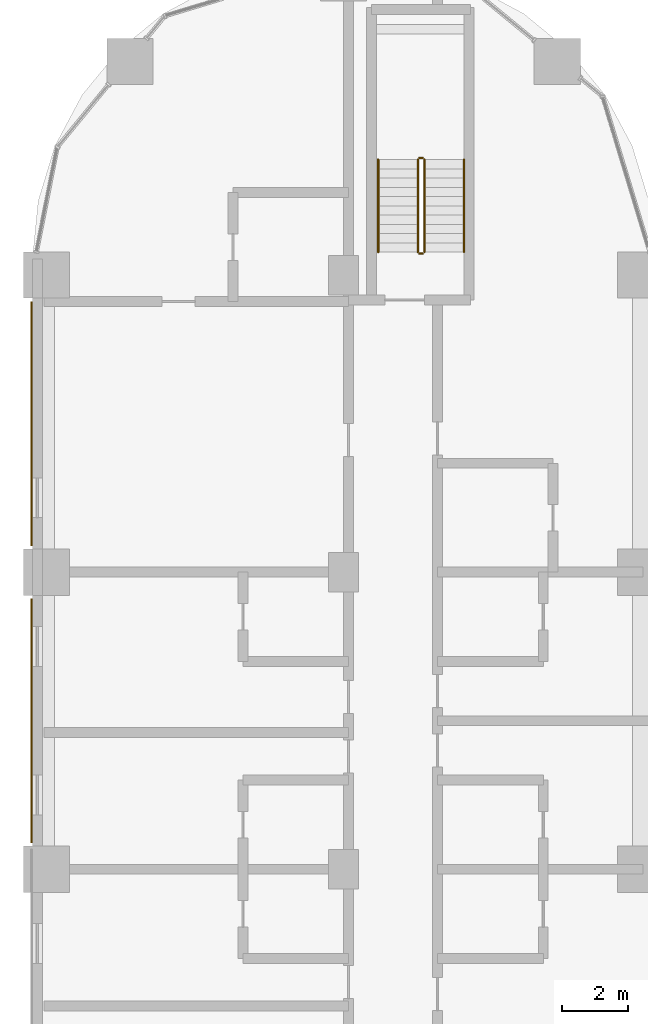
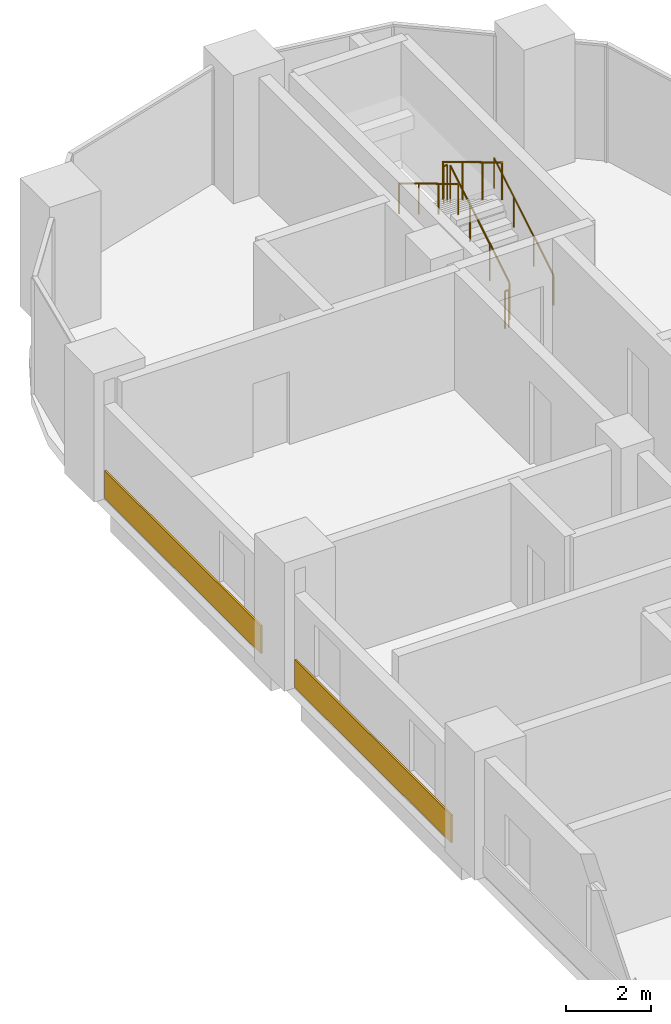
# One storey, part 30 of 31: 6 railings, 2 coverings.
"""IFC4 building model written with IfcOpenShell, lengths in metres."""

from ifc_helpers import new_model, si_unit, direction, frame, origin, origin_2d, place, context, subcontext, project, spatial, rectangle, circle, extrude, material, layer, layer_set, type_object, element, save


model = new_model("IFC4")

# Units and contexts
model_context = context("Model", 3, precision=1e-05, world=origin(), true_north=direction((0.0, 1.0)))
body_context = subcontext(model_context, "Body", "Model", "MODEL_VIEW")
ifc_project = project(units=[si_unit("LENGTHUNIT", "METRE"), si_unit("AREAUNIT", "SQUARE_METRE"), si_unit("VOLUMEUNIT", "CUBIC_METRE"), si_unit("PLANEANGLEUNIT", "RADIAN"), si_unit("MASSUNIT", "GRAM", prefix="KILO")], contexts=[model_context])

# Site, building, storey
site_placement = place(None, origin())
site = spatial("IfcSite", under=ifc_project, at=site_placement, CompositionType="ELEMENT")
building_placement = place(site_placement, origin())
building = spatial("IfcBuilding", under=site, at=building_placement, Name="Ogive Portal Towers", CompositionType="ELEMENT")
storey_placement = place(building_placement, frame((0.0, 0.0, 40.89990234375)))
storey = spatial("IfcBuildingStorey", under=building, at=storey_placement, Name="L08", CompositionType="ELEMENT", Elevation=40.89990234375)

# Railings
ifc_material_1 = material(Name="Stainless steel balustrade", Category="steel")
railing_type_1 = type_object("IfcRailingType", Name="INT-GUARD", PredefinedType="GUARDRAIL", material=ifc_material_1)
railing_1_placement = place(storey_placement, frame((42.949951171875, 67.199951171875, 0.168212890625)))
element("IfcRailing", 1, at=railing_1_placement, inside=storey, type_object=railing_type_1, Name="L08 ST-A3 stair guard 1", PredefinedType="GUARDRAIL", context=body_context, shape_type="SweptSolid", body=[
    extrude(circle(Radius=0.02392578125, at=origin_2d()), frame((0.0, 0.0, 1.076171875), z_axis=(0.0, 0.857242210791, 0.514913383045), x_axis=(-1.0, 0.0, 0.0)), (0.0, 0.0, 1.0), 3.266357421875),
    extrude(circle(Radius=0.02099609375, at=origin_2d()), origin(), (0.0, 0.0, 1.0), 1.052001953125),
    extrude(circle(Radius=0.02099609375, at=origin_2d()), frame((0.0, 0.933349609375, 0.560546875)), (0.0, 0.0, 1.0), 1.052001953125),
    extrude(circle(Radius=0.02099609375, at=origin_2d()), frame((0.0, 1.86669921875, 1.121337890625)), (0.0, 0.0, 1.0), 1.052001953125),
    extrude(circle(Radius=0.02099609375, at=origin_2d()), frame((0.0, 2.800048828125, 1.681884765625)), (0.0, 0.0, 1.0), 1.052001953125),
])
railing_2_placement = place(storey_placement, frame((42.89990234375, 70.050048828125, 1.85009765625)))
element("IfcRailing", 2, at=railing_2_placement, inside=storey, type_object=railing_type_1, Name="L08 ST-A3 stair guard 2", PredefinedType="GUARDRAIL", context=body_context, shape_type="SweptSolid", body=[
    extrude(circle(Radius=0.02392578125, at=origin_2d()), frame((0.0, 0.0, 1.076171875), z_axis=(-1.0, 0.0, 0.0), x_axis=(0.0, -1.0, 0.0)), (0.0, 0.0, 1.0), 0.099853515625),
    extrude(circle(Radius=0.02099609375, at=origin_2d()), origin(), (0.0, 0.0, 1.0), 1.052001953125),
    extrude(circle(Radius=0.02099609375, at=origin_2d()), frame((-0.099853515625, 0.0, 0.0)), (0.0, 0.0, 1.0), 1.052001953125),
])
railing_3_placement = place(storey_placement, frame((42.75, 70.0, 2.018310546875)))
element("IfcRailing", 3, at=railing_3_placement, inside=storey, type_object=railing_type_1, Name="L08 ST-A3 stair guard 3", PredefinedType="GUARDRAIL", context=body_context, shape_type="SweptSolid", body=[
    extrude(circle(Radius=0.02392578125, at=origin_2d()), frame((0.0, 0.0, 1.076171875), z_axis=(0.0, -0.857242210791, 0.514913383045), x_axis=(1.0, 0.0, 0.0)), (0.0, 0.0, 1.0), 3.266357421875),
    extrude(circle(Radius=0.02099609375, at=origin_2d()), origin(), (0.0, 0.0, 1.0), 1.052001953125),
    extrude(circle(Radius=0.02099609375, at=origin_2d()), frame((0.0, -0.933349609375, 0.560546875)), (0.0, 0.0, 1.0), 1.052001953125),
    extrude(circle(Radius=0.02099609375, at=origin_2d()), frame((0.0, -1.86669921875, 1.121337890625)), (0.0, 0.0, 1.0), 1.052001953125),
    extrude(circle(Radius=0.02099609375, at=origin_2d()), frame((0.0, -2.800048828125, 1.681884765625)), (0.0, 0.0, 1.0), 1.052001953125),
])
railing_4_placement = place(storey_placement, frame((42.89990234375, 67.14990234375, 0.0)))
element("IfcRailing", 4, at=railing_4_placement, inside=storey, type_object=railing_type_1, Name="L08 ST-A3 stair guard 4", PredefinedType="GUARDRAIL", context=body_context, shape_type="SweptSolid", body=[
    extrude(circle(Radius=0.02392578125, at=origin_2d()), frame((0.0, 0.0, 1.076171875), z_axis=(-1.0, 0.0, 0.0), x_axis=(0.0, -1.0, 0.0)), (0.0, 0.0, 1.0), 0.099853515625),
    extrude(circle(Radius=0.02099609375, at=origin_2d()), origin(), (0.0, 0.0, 1.0), 1.052001953125),
    extrude(circle(Radius=0.02099609375, at=origin_2d()), frame((-0.099853515625, 0.0, 0.0)), (0.0, 0.0, 1.0), 1.052001953125),
])
ifc_material_2 = material(Name="Stainless steel handrail", Category="steel")
railing_type_2 = type_object("IfcRailingType", Name="INT-HANDRAIL", PredefinedType="HANDRAIL", material=ifc_material_2)
railing_5_placement = place(storey_placement, frame((44.14990234375, 67.199951171875, 0.168212890625)))
element("IfcRailing", 5, at=railing_5_placement, inside=storey, type_object=railing_type_2, Name="L08 ST-A3 stair handrail 1", PredefinedType="HANDRAIL", context=body_context, shape_type="SweptSolid", body=[
    extrude(circle(Radius=0.02392578125, at=origin_2d()), frame((0.0, 0.0, 0.8759765625), z_axis=(0.0, 0.857242210791, 0.514913383045), x_axis=(-1.0, 0.0, 0.0)), (0.0, 0.0, 1.0), 3.266357421875),
    extrude(circle(Radius=0.02099609375, at=origin_2d()), origin(), (0.0, 0.0, 1.0), 0.851806640625),
    extrude(circle(Radius=0.02099609375, at=origin_2d()), frame((0.0, 0.933349609375, 0.560546875)), (0.0, 0.0, 1.0), 0.851806640625),
    extrude(circle(Radius=0.02099609375, at=origin_2d()), frame((0.0, 1.86669921875, 1.121337890625)), (0.0, 0.0, 1.0), 0.851806640625),
    extrude(circle(Radius=0.02099609375, at=origin_2d()), frame((0.0, 2.800048828125, 1.681884765625)), (0.0, 0.0, 1.0), 0.851806640625),
])
railing_6_placement = place(storey_placement, frame((41.550048828125, 70.0, 2.018310546875)))
element("IfcRailing", 6, at=railing_6_placement, inside=storey, type_object=railing_type_2, Name="L08 ST-A3 stair handrail 2", PredefinedType="HANDRAIL", context=body_context, shape_type="SweptSolid", body=[
    extrude(circle(Radius=0.02392578125, at=origin_2d()), frame((0.0, 0.0, 0.8759765625), z_axis=(0.0, -0.857242210791, 0.514913383045), x_axis=(1.0, 0.0, 0.0)), (0.0, 0.0, 1.0), 3.266357421875),
    extrude(circle(Radius=0.02099609375, at=origin_2d()), origin(), (0.0, 0.0, 1.0), 0.851806640625),
    extrude(circle(Radius=0.02099609375, at=origin_2d()), frame((0.0, -0.933349609375, 0.560546875)), (0.0, 0.0, 1.0), 0.851806640625),
    extrude(circle(Radius=0.02099609375, at=origin_2d()), frame((0.0, -1.86669921875, 1.121337890625)), (0.0, 0.0, 1.0), 0.851806640625),
    extrude(circle(Radius=0.02099609375, at=origin_2d()), frame((0.0, -2.800048828125, 1.681884765625)), (0.0, 0.0, 1.0), 0.851806640625),
])

# Coverings
ifc_material_3 = material(Name="Limestone cladding on lightweight block wall", Category="masonry")
ifc_layer = layer(ifc_material_3, 0.050048828125)
ifc_layer_set = layer_set([ifc_layer], Name="SCREEN PERFORATED STONE")
covering_type = type_object("IfcCoveringType", Name="SCREEN PERFORATED STONE", PredefinedType="CLADDING", material=ifc_layer_set)
for number, where, z_axis, x_axis, name in (
    (7, (31.050048828125, 62.0, 0.10009765625), (0.0, 0.0, 1.0), (0.0, -1.0, 0.0), "Tracery screen"),
    (8, (31.050048828125, 53.0, 0.10009765625), (0.0, 0.0, 1.0), (0.0, -1.0, 0.0), "Tracery screen"),
):
    element("IfcCovering", number, at=place(storey_placement, frame(where, z_axis=z_axis, x_axis=x_axis)), inside=storey, type_object=covering_type, Name=name, PredefinedType="CLADDING", context=body_context, shape_type="SweptSolid", body=[
        extrude(rectangle(XDim=7.39990234375, YDim=0.050048828125, at=origin_2d()), origin(), (0.0, 0.0, 1.0), 0.800048828125),
    ])

save(model, "model.ifc")
